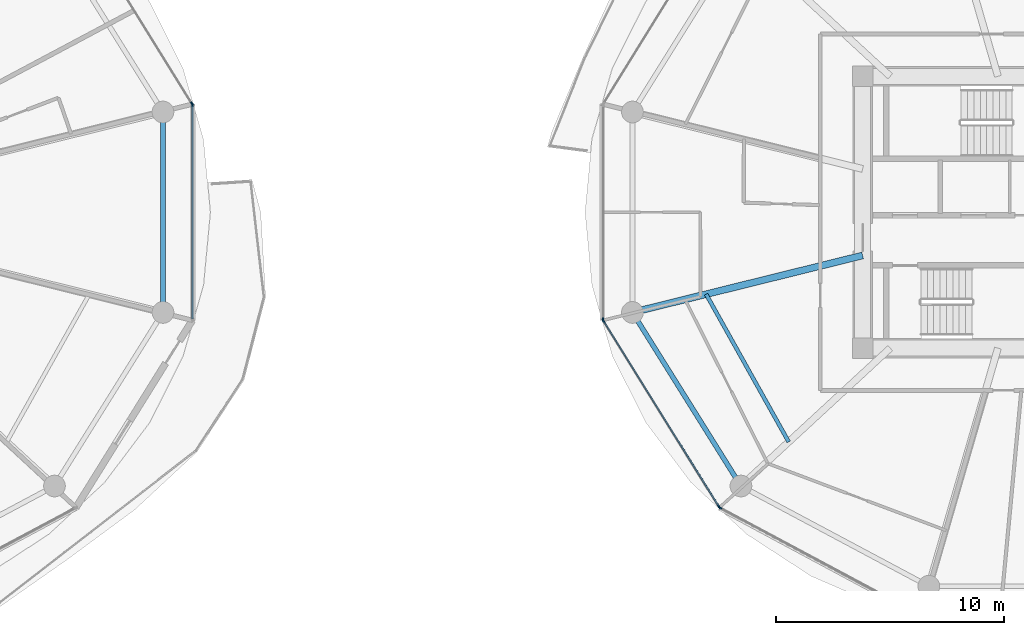
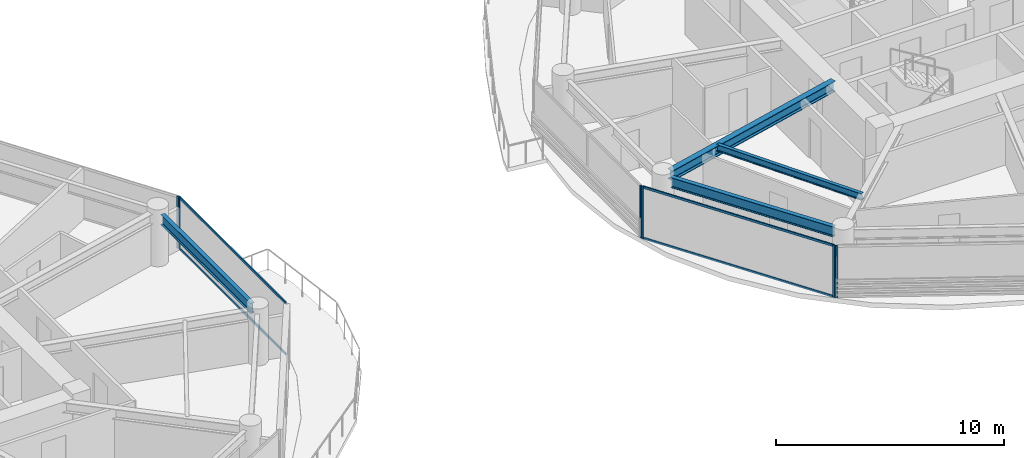
# One storey, part 6 of 26: 10 members, 4 beams, 5 elements without a shape of their own.
"""IFC4 building model written with IfcOpenShell, lengths in metres."""

from ifc_helpers import new_model, si_unit, direction, frame, origin, origin_2d, place, context, subcontext, project, spatial, rectangle, i_section, extrude, source, transform, mapped, material, layer, layer_set, material_profile, profile_set, type_object, type_shapes, element, aggregate, save


model = new_model("IFC4")

# Units and contexts
model_context = context("Model", 3, precision=1e-05, world=origin(), true_north=direction((0.0, 1.0)))
body_context = subcontext(model_context, "Body", "Model", "MODEL_VIEW")
ifc_project = project(units=[si_unit("LENGTHUNIT", "METRE"), si_unit("AREAUNIT", "SQUARE_METRE"), si_unit("VOLUMEUNIT", "CUBIC_METRE"), si_unit("PLANEANGLEUNIT", "RADIAN"), si_unit("MASSUNIT", "GRAM", prefix="KILO")], contexts=[model_context])

# Site, building, storey
site_placement = place(None, origin())
site = spatial("IfcSite", under=ifc_project, at=site_placement, CompositionType="ELEMENT")
building_placement = place(site_placement, origin())
building = spatial("IfcBuilding", under=site, at=building_placement, Name="Norrkilde Senior Care Towers", CompositionType="ELEMENT")
storey_placement = place(building_placement, frame((0.0, 0.0, 64.300048828125)))
storey = spatial("IfcBuildingStorey", under=building, at=storey_placement, Name="L19", CompositionType="ELEMENT", Elevation=64.300048828125)

# Beams
ifc_material_1 = material(Name="Steel S355", Category="steel")
ifc_material_profile_1 = material_profile(ifc_material_1, i_section(OverallWidth=0.2099609375, OverallDepth=0.550048828125, WebThickness=0.010986328125, FlangeThickness=0.01708984375, FilletRadius=0.02392578125, at=origin_2d()), Name="IPE 550")
ifc_profile_set_1 = profile_set([ifc_material_profile_1], Name="Steel S355")
beam_type_1 = type_object("IfcBeamType", Name="Perimeter Ring Spandrel Z1 IPE550", PredefinedType="SPANDREL", material=ifc_profile_set_1)
shared_shape_1 = source(origin(), body_context, "Body", "SweptSolid", [
    extrude(i_section(OverallWidth=0.2099609375, OverallDepth=0.550048828125, WebThickness=0.010986328125, FlangeThickness=0.01708984375, FilletRadius=0.02392578125, at=origin_2d()), origin(), (0.0, 0.0, 1.0), 8.090576171875),
])
beam_1_placement = place(storey_placement, frame((10.505859375, -4.755859375, 2.514892578125), z_axis=(0.530004364821, -0.84799491347, 0.0), x_axis=(0.84799491347, 0.530004364821, 0.0)))
element("IfcBeam", 1, at=beam_1_placement, inside=storey, type_object=beam_type_1, Name="L19 Drum E Perimeter Spandrel 07", PredefinedType="SPANDREL", context=body_context, shape_type="MappedRepresentation", body=[
    mapped(shared_shape_1, transform((0.0, 0.0, 0.0), x_axis=(1.0, 0.0, 0.0), y_axis=(0.0, 1.0, 0.0), z_axis=(0.0, 0.0, 1.0), scale=1.0)),
])
ifc_material_profile_2 = material_profile(ifc_material_1, i_section(OverallWidth=0.300048828125, OverallDepth=0.550048828125, WebThickness=0.014892578125, FlangeThickness=0.029052734375, FilletRadius=0.027099609375, at=origin_2d()), Name="HEB 550")
ifc_profile_set_2 = profile_set([ifc_material_profile_2], Name="Steel S355")
beam_type_2 = type_object("IfcBeamType", Name="Radial Floor Beam Z1 HEB550", PredefinedType="BEAM", material=ifc_profile_set_2)
shared_shape_2 = source(origin(), body_context, "Body", "SweptSolid", [
    extrude(i_section(OverallWidth=0.300048828125, OverallDepth=0.550048828125, WebThickness=0.014892578125, FlangeThickness=0.029052734375, FilletRadius=0.027099609375, at=origin_2d()), origin(), (0.0, 0.0, 1.0), 9.94384765625),
])
type_shapes(beam_type_2, [shared_shape_2])
beam_2_placement = place(storey_placement, frame((20.35009765625, -1.893310546875, 2.514892578125), z_axis=(-0.970707425182, -0.240264634718, 0.0), x_axis=(0.240264634718, -0.970707425182, 0.0)))
element("IfcBeam", 2, at=beam_2_placement, inside=storey, type_object=beam_type_2, Name="L19 Drum E Radial Floor Beam 07", PredefinedType="BEAM", context=body_context, shape_type="MappedRepresentation", body=[
    mapped(shared_shape_2, transform((0.0, 0.0, 0.0), x_axis=(1.0, 0.0, 0.0), y_axis=(0.0, 1.0, 0.0), z_axis=(0.0, 0.0, 1.0), scale=1.0)),
])
shared_shape_3 = source(origin(), body_context, "Body", "SweptSolid", [
    extrude(i_section(OverallWidth=0.2099609375, OverallDepth=0.550048828125, WebThickness=0.010986328125, FlangeThickness=0.01708984375, FilletRadius=0.02392578125, at=origin_2d()), origin(), (0.0, 0.0, 1.0), 7.90380859375),
])
type_shapes(beam_type_1, [shared_shape_1, shared_shape_3])
beam_3_placement = place(storey_placement, frame((-10.275146484375, -3.951904296875, 2.514892578125), z_axis=(0.0, 1.0, 0.0), x_axis=(-1.0, 0.0, 0.0)))
element("IfcBeam", 3, at=beam_3_placement, inside=storey, type_object=beam_type_1, Name="L19 Drum W Perimeter Spandrel 12", PredefinedType="SPANDREL", context=body_context, shape_type="MappedRepresentation", body=[
    mapped(shared_shape_3, transform((0.0, 0.0, 0.0), x_axis=(1.0, 0.0, 0.0), y_axis=(0.0, 1.0, 0.0), z_axis=(0.0, 0.0, 1.0), scale=1.0)),
])
ifc_material_profile_3 = material_profile(ifc_material_1, i_section(OverallWidth=0.169921875, OverallDepth=0.360107421875, WebThickness=0.008056640625, FlangeThickness=0.0126953125, FilletRadius=0.01806640625, at=origin_2d()), Name="IPE 360")
ifc_profile_set_3 = profile_set([ifc_material_profile_3], Name="Steel S355")
beam_type_3 = type_object("IfcBeamType", Name="Secondary Floor Joist IPE360", PredefinedType="JOIST", material=ifc_profile_set_3)
shared_shape_4 = source(origin(), body_context, "Body", "SweptSolid", [
    extrude(i_section(OverallWidth=0.169921875, OverallDepth=0.360107421875, WebThickness=0.008056640625, FlangeThickness=0.0126953125, FilletRadius=0.01806640625, at=origin_2d()), origin(), (0.0, 0.0, 1.0), 7.40771484375),
])
type_shapes(beam_type_3, [shared_shape_4])
beam_4_placement = place(storey_placement, frame((13.499267578125, -3.589111328125, 2.60986328125), z_axis=(0.488167754092, -0.872749817453, 0.0), x_axis=(0.872749817453, 0.488167754092, 0.0)))
element("IfcBeam", 4, at=beam_4_placement, inside=storey, type_object=beam_type_3, Name="L19 Drum E Secondary Floor Joist 3", PredefinedType="JOIST", context=body_context, shape_type="MappedRepresentation", body=[
    mapped(shared_shape_4, transform((0.0, 0.0, 0.0), x_axis=(1.0, 0.0, 0.0), y_axis=(0.0, 1.0, 0.0), z_axis=(0.0, 0.0, 1.0), scale=1.0)),
])

# Curtain wall, member
ifc_material_2 = material(Name="Triple Low-E Insulated Glazing", Category="glass")
ifc_layer = layer(ifc_material_2, 0.199951171875)
ifc_layer_set = layer_set([ifc_layer], Name="Triple Low-E Insulated Glazing")
curtain_wall_type = type_object("IfcCurtainWallType", Name="CW2 Zone 1 Memory Care Curtain Wall", PredefinedType="NOTDEFINED", material=ifc_layer_set)
curtain_wall_1_placement = place(storey_placement, origin())
curtain_wall_1 = element("IfcCurtainWall", 5, at=curtain_wall_1_placement, inside=storey, type_object=curtain_wall_type, Name="L19 Drum W Curtain Wall 00", PredefinedType="NOTDEFINED")
ifc_material_3 = material(Name="Anodised Aluminium", Category="aluminium")
ifc_material_profile_4 = material_profile(ifc_material_3, rectangle(XDim=0.06494140625, YDim=0.159912109375, at=origin_2d()), Name="ALU MULL 65x160")
ifc_profile_set_4 = profile_set([ifc_material_profile_4], Name="Anodised Aluminium")
member_type_1 = type_object("IfcMemberType", Name="Curtain Wall Mullion Z1-Z2 65x160", PredefinedType="MULLION", material=ifc_profile_set_4)
shared_shape_5 = source(origin(), body_context, "Body", "SweptSolid", [
    extrude(rectangle(XDim=0.06494140625, YDim=0.159912109375, at=origin_2d()), origin(), (0.0, 0.0, 1.0), 2.7900390625),
])
type_shapes(member_type_1, [shared_shape_5])
member_1_placement = place(storey_placement, frame((-9.0078125, 4.7587890625, 0.0), z_axis=(0.0, 0.0, 1.0), x_axis=(0.849305943117, 0.527900951871, 0.0)))
member_1 = element("IfcMember", 6, at=member_1_placement, type_object=member_type_1, Name="CW-2 mullion 2", PredefinedType="MULLION", context=body_context, shape_type="MappedRepresentation", body=[
    mapped(shared_shape_5, transform((0.0, 0.0, 0.0), x_axis=(1.0, 0.0, 0.0), y_axis=(0.0, 1.0, 0.0), z_axis=(0.0, 0.0, 1.0), scale=1.0)),
])
aggregate(curtain_wall_1, [member_1])

curtain_wall_2_placement = place(storey_placement, origin())
curtain_wall_2 = element("IfcCurtainWall", 7, at=curtain_wall_2_placement, inside=storey, type_object=curtain_wall_type, Name="L19 Drum W Curtain Wall 11", PredefinedType="NOTDEFINED")
member_2_placement = place(storey_placement, frame((-8.990478515625, 4.69873046875, 0.0), z_axis=(0.0, 0.0, 1.0), x_axis=(1.0, 0.0, 0.0)))
member_2 = element("IfcMember", 8, at=member_2_placement, type_object=member_type_1, Name="CW-2 mullion 1", PredefinedType="MULLION", context=body_context, shape_type="MappedRepresentation", body=[
    mapped(shared_shape_5, transform((0.0, 0.0, 0.0), x_axis=(1.0, 0.0, 0.0), y_axis=(0.0, 1.0, 0.0), z_axis=(0.0, 0.0, 1.0), scale=1.0)),
])

curtain_wall_3_placement = place(storey_placement, origin())
curtain_wall_3 = element("IfcCurtainWall", 9, at=curtain_wall_3_placement, inside=storey, type_object=curtain_wall_type, Name="L19 Drum E Curtain Wall 05", PredefinedType="NOTDEFINED")
member_3_placement = place(storey_placement, frame((8.990478515625, -4.69873046875, 0.0), z_axis=(0.0, 0.0, 1.0), x_axis=(-1.0, 0.0, 0.0)))
member_3 = element("IfcMember", 10, at=member_3_placement, type_object=member_type_1, Name="CW-2 mullion 1", PredefinedType="MULLION", context=body_context, shape_type="MappedRepresentation", body=[
    mapped(shared_shape_5, transform((0.0, 0.0, 0.0), x_axis=(1.0, 0.0, 0.0), y_axis=(0.0, 1.0, 0.0), z_axis=(0.0, 0.0, 1.0), scale=1.0)),
])
aggregate(curtain_wall_3, [member_3])

# Curtain wall, members
curtain_wall_4_placement = place(storey_placement, origin())
curtain_wall_4 = element("IfcCurtainWall", 11, at=curtain_wall_4_placement, inside=storey, type_object=curtain_wall_type, Name="L19 Drum E Curtain Wall 06", PredefinedType="NOTDEFINED")
member_4_placement = place(storey_placement, frame((14.06689453125, -12.898193359375, 0.0), z_axis=(0.0, 0.0, 1.0), x_axis=(-0.849305943117, -0.527900951871, 0.0)))
member_4 = element("IfcMember", 12, at=member_4_placement, type_object=member_type_1, Name="CW-2 mullion 1", PredefinedType="MULLION", context=body_context, shape_type="MappedRepresentation", body=[
    mapped(shared_shape_5, transform((0.0, 0.0, 0.0), x_axis=(1.0, 0.0, 0.0), y_axis=(0.0, 1.0, 0.0), z_axis=(0.0, 0.0, 1.0), scale=1.0)),
])
member_5_placement = place(storey_placement, frame((9.0078125, -4.7587890625, 0.0), z_axis=(0.0, 0.0, 1.0), x_axis=(-0.849305943117, -0.527900951871, 0.0)))
member_5 = element("IfcMember", 13, at=member_5_placement, type_object=member_type_1, Name="CW-2 mullion 2", PredefinedType="MULLION", context=body_context, shape_type="MappedRepresentation", body=[
    mapped(shared_shape_5, transform((0.0, 0.0, 0.0), x_axis=(1.0, 0.0, 0.0), y_axis=(0.0, 1.0, 0.0), z_axis=(0.0, 0.0, 1.0), scale=1.0)),
])

# Curtain wall, member
curtain_wall_5_placement = place(storey_placement, origin())
curtain_wall_5 = element("IfcCurtainWall", 14, at=curtain_wall_5_placement, inside=storey, type_object=curtain_wall_type, Name="L19 Drum E Curtain Wall 07", PredefinedType="NOTDEFINED")
member_6_placement = place(storey_placement, frame((14.11279296875, -12.941162109375, 0.0), z_axis=(0.0, 0.0, 1.0), x_axis=(-0.472607802456, -0.881272866403, 0.0)))
member_6 = element("IfcMember", 15, at=member_6_placement, type_object=member_type_1, Name="CW-2 mullion 2", PredefinedType="MULLION", context=body_context, shape_type="MappedRepresentation", body=[
    mapped(shared_shape_5, transform((0.0, 0.0, 0.0), x_axis=(1.0, 0.0, 0.0), y_axis=(0.0, 1.0, 0.0), z_axis=(0.0, 0.0, 1.0), scale=1.0)),
])
aggregate(curtain_wall_5, [member_6])

# Member
ifc_material_profile_5 = material_profile(ifc_material_3, rectangle(XDim=0.06005859375, YDim=0.1201171875, at=origin_2d()), Name="ALU TRAN 60x120")
ifc_profile_set_5 = profile_set([ifc_material_profile_5], Name="Anodised Aluminium")
member_type_2 = type_object("IfcMemberType", Name="Curtain Wall Transom Typical 60x120", PredefinedType="USERDEFINED", material=ifc_profile_set_5)
shared_shape_6 = source(origin(), body_context, "Body", "SweptSolid", [
    extrude(rectangle(XDim=0.06005859375, YDim=0.1201171875, at=origin_2d()), origin(), (0.0, 0.0, 1.0), 9.5185546875),
])
member_7_placement = place(storey_placement, frame((14.0498046875, -12.87060546875, 0.030029296875), z_axis=(-0.527901620669, 0.849305527413, 0.0), x_axis=(-0.849305527413, -0.527901620669, 0.0)))
member_7 = element("IfcMember", 16, at=member_7_placement, type_object=member_type_2, Name="CW-2 transom 1.1", ObjectType="TRANSOM", PredefinedType="USERDEFINED", context=body_context, shape_type="MappedRepresentation", body=[
    mapped(shared_shape_6, transform((0.0, 0.0, 0.0), x_axis=(1.0, 0.0, 0.0), y_axis=(0.0, 1.0, 0.0), z_axis=(0.0, 0.0, 1.0), scale=1.0)),
])

member_8_placement = place(storey_placement, frame((14.0498046875, -12.87060546875, 2.760009765625), z_axis=(-0.527901620669, 0.849305527413, 0.0), x_axis=(-0.849305527413, -0.527901620669, 0.0)))
member_8 = element("IfcMember", 17, at=member_8_placement, type_object=member_type_2, Name="CW-2 transom 1.2", ObjectType="TRANSOM", PredefinedType="USERDEFINED", context=body_context, shape_type="MappedRepresentation", body=[
    mapped(shared_shape_6, transform((0.0, 0.0, 0.0), x_axis=(1.0, 0.0, 0.0), y_axis=(0.0, 1.0, 0.0), z_axis=(0.0, 0.0, 1.0), scale=1.0)),
])

aggregate(curtain_wall_4, [member_4, member_5, member_7, member_8])

shared_shape_7 = source(origin(), body_context, "Body", "SweptSolid", [
    extrude(rectangle(XDim=0.06005859375, YDim=0.1201171875, at=origin_2d()), origin(), (0.0, 0.0, 1.0), 9.33251953125),
])
type_shapes(member_type_2, [shared_shape_6, shared_shape_7])
member_9_placement = place(storey_placement, frame((-8.990478515625, 4.666259765625, 0.030029296875), z_axis=(0.0, -1.0, 0.0), x_axis=(1.0, 0.0, 0.0)))
member_9 = element("IfcMember", 18, at=member_9_placement, type_object=member_type_2, Name="CW-2 transom 1.1", ObjectType="TRANSOM", PredefinedType="USERDEFINED", context=body_context, shape_type="MappedRepresentation", body=[
    mapped(shared_shape_7, transform((0.0, 0.0, 0.0), x_axis=(1.0, 0.0, 0.0), y_axis=(0.0, 1.0, 0.0), z_axis=(0.0, 0.0, 1.0), scale=1.0)),
])

member_10_placement = place(storey_placement, frame((-8.990478515625, 4.666259765625, 2.760009765625), z_axis=(0.0, -1.0, 0.0), x_axis=(1.0, 0.0, 0.0)))
member_10 = element("IfcMember", 19, at=member_10_placement, type_object=member_type_2, Name="CW-2 transom 1.2", ObjectType="TRANSOM", PredefinedType="USERDEFINED", context=body_context, shape_type="MappedRepresentation", body=[
    mapped(shared_shape_7, transform((0.0, 0.0, 0.0), x_axis=(1.0, 0.0, 0.0), y_axis=(0.0, 1.0, 0.0), z_axis=(0.0, 0.0, 1.0), scale=1.0)),
])

aggregate(curtain_wall_2, [member_2, member_9, member_10])

save(model, "model.ifc")
